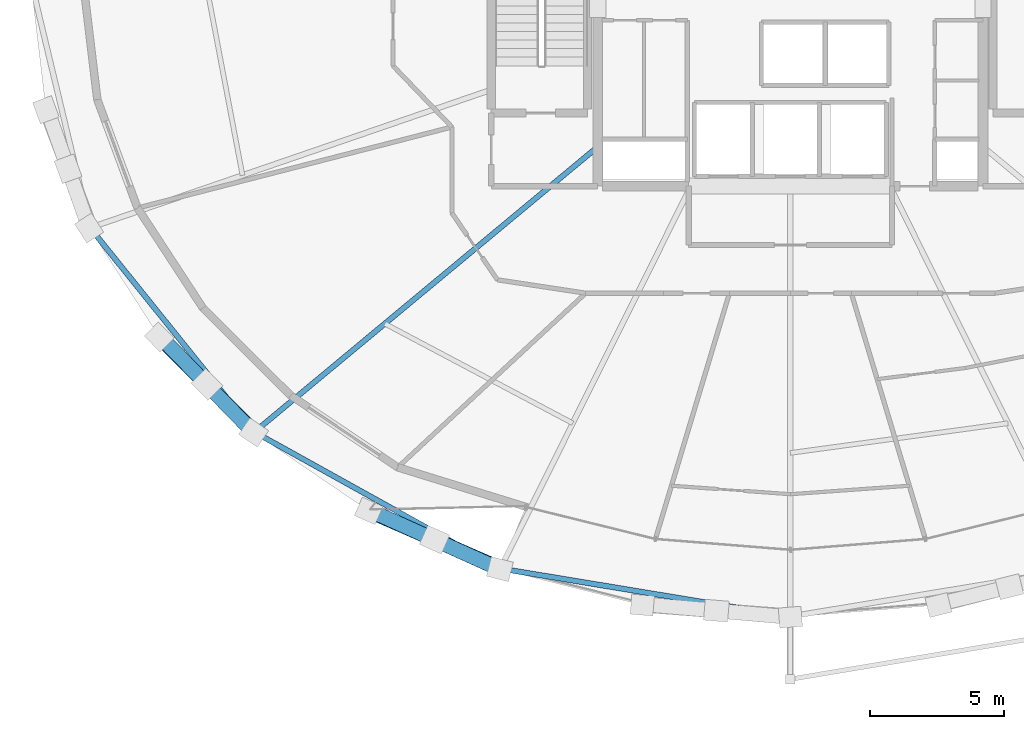
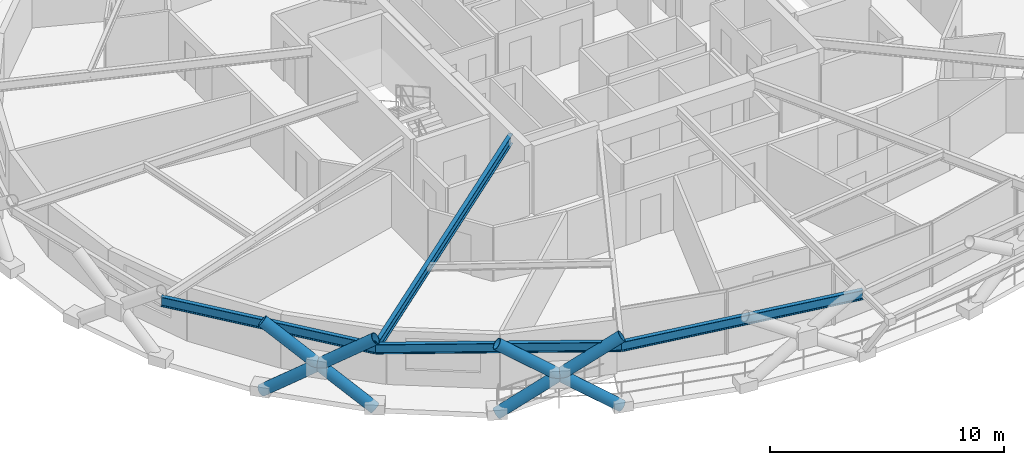
# One storey, part 1 of 22: 6 members, 4 beams.
"""IFC4 building model written with IfcOpenShell, lengths in metres."""

import ifcopenshell
import ifcopenshell.guid

model = None  # the IFC model being written
_history = None  # IfcOwnerHistory: only IFC2X3 demands one
_inside = {}  # id of a spatial element -> (the spatial element, [elements in it])
_under = {}  # id of a project, library or spatial element -> (it, [spatial elements below it])
_declared = {}  # id of a project -> (the project, [libraries it declares])
_typed = {}  # id of a type object -> (the type object, [elements of that type])
_made_of = {}  # id of a material, layer set ... -> (it, [elements and type objects made of it])


def new_model(schema):
    """Start an empty IFC model of exactly this schema.

    Asked for "IFC4X3", IfcOpenShell would pick the latest addendum, in which some entities
    have other attributes; the version numbers below select the first issue.
    IFC2X3 requires an IfcOwnerHistory on every rooted entity: one is made here for all.
    """
    global model, _history
    if schema == "IFC4X3":
        model = ifcopenshell.file(schema_version=(4, 3, 0, 0))
    else:
        model = ifcopenshell.file(schema=schema)
    _inside.clear()
    _under.clear()
    _declared.clear()
    _typed.clear()
    _made_of.clear()
    _history = None
    if model.schema == "IFC2X3":
        org = make("IfcOrganization", Name="unknown")
        user = make(
            "IfcPersonAndOrganization",
            ThePerson=make("IfcPerson", FamilyName="unknown"),
            TheOrganization=org,
        )
        app = make(
            "IfcApplication",
            ApplicationDeveloper=org,
            Version="unknown",
            ApplicationFullName="unknown",
            ApplicationIdentifier="unknown",
        )
        _history = make(
            "IfcOwnerHistory",
            OwningUser=user,
            OwningApplication=app,
            ChangeAction="ADDED",
            CreationDate=0,
        )
    return model


def make(cls, **values):
    """One entity of the class cls with the attributes given. An attribute that is None is left unset."""
    return model.create_entity(
        cls, **{name: value for name, value in values.items() if value is not None}
    )


def rooted(cls, **values):
    """An entity with a GlobalId (a new one), such as an element, a storey or a relation."""
    return make(cls, GlobalId=ifcopenshell.guid.new(), OwnerHistory=_history, **values)


def si_unit(unit_type, name, prefix=None):
    """IfcSIUnit, for example si_unit("LENGTHUNIT", "METRE", prefix="MILLI")."""
    return make("IfcSIUnit", UnitType=unit_type, Prefix=prefix, Name=name)


def assignment(units):
    """IfcUnitAssignment: the units of a project."""
    return None if units is None else make("IfcUnitAssignment", Units=units)


def point(xyz):
    """IfcCartesianPoint."""
    return None if xyz is None else make("IfcCartesianPoint", Coordinates=xyz)


def direction(xyz):
    """IfcDirection."""
    return None if xyz is None else make("IfcDirection", DirectionRatios=xyz)


def frame(location, z_axis=None, x_axis=None):
    """IfcAxis2Placement3D, a coordinate frame: its origin and axes. An axis left out is left unset."""
    return make(
        "IfcAxis2Placement3D",
        Location=point(location),
        Axis=direction(z_axis),
        RefDirection=direction(x_axis),
    )


def frame_2d(location, x_axis=None):
    """IfcAxis2Placement2D, a coordinate frame in the plane: its origin and x axis."""
    return make(
        "IfcAxis2Placement2D", Location=point(location), RefDirection=direction(x_axis)
    )


def origin():
    """The frame at (0, 0, 0) with its axes left unset."""
    return frame((0.0, 0.0, 0.0))


def origin_2d():
    """The frame at (0, 0) in the plane with its x axis left unset."""
    return frame_2d((0.0, 0.0))


def place(relative_to, where):
    """IfcLocalPlacement: puts the frame where relative to a parent placement (None: the world)."""
    return make(
        "IfcLocalPlacement", PlacementRelTo=relative_to, RelativePlacement=where
    )


def context(
    kind, dimensions, precision=None, world=None, true_north=None, identifier=None
):
    """IfcGeometricRepresentationContext, for example the 3D "Model" context."""
    return make(
        "IfcGeometricRepresentationContext",
        ContextIdentifier=identifier,
        ContextType=kind,
        CoordinateSpaceDimension=dimensions,
        Precision=precision,
        WorldCoordinateSystem=world,
        TrueNorth=true_north,
    )


def subcontext(parent, identifier, kind, view, scale=None):
    """IfcGeometricRepresentationSubContext, for example "Body" below "Model"."""
    return make(
        "IfcGeometricRepresentationSubContext",
        ContextIdentifier=identifier,
        ContextType=kind,
        ParentContext=parent,
        TargetScale=scale,
        TargetView=view,
    )


def project(units=None, contexts=None):
    """IfcProject with its units and contexts."""
    return rooted(
        "IfcProject",
        Name="project",
        RepresentationContexts=contexts,
        UnitsInContext=assignment(units),
    )


def spatial(cls, under=None, at=None, **own):
    """A site, building, storey or space (cls), placed at a placement, below another one or the project."""
    s = rooted(cls, ObjectPlacement=at, **own)
    if under is not None:
        _under.setdefault(under.id(), (under, []))[1].append(s)
    return s


def profile(cls, at=None, kind="AREA", **sizes):
    """A parametric profile (cls). Its sizes go by their IFC names, for example OverallWidth=200.0."""
    return make(cls, ProfileType=kind, Position=at, **sizes)


def hollow_circle(**sizes):
    """IfcCircleHollowProfileDef."""
    return profile("IfcCircleHollowProfileDef", **sizes)


def i_section(**sizes):
    """IfcIShapeProfileDef."""
    return profile("IfcIShapeProfileDef", **sizes)


def extrude(swept, where, along, depth):
    """IfcExtrudedAreaSolid: the profile swept, set in the frame where, extruded along a direction by depth."""
    return make(
        "IfcExtrudedAreaSolid",
        SweptArea=swept,
        Position=where,
        ExtrudedDirection=direction(along),
        Depth=depth,
    )


def shape(context_of_items, identifier, shape_type, items):
    """IfcShapeRepresentation: the items that make up one representation, for example the "Body"."""
    return make(
        "IfcShapeRepresentation",
        ContextOfItems=context_of_items,
        RepresentationIdentifier=identifier,
        RepresentationType=shape_type,
        Items=items,
    )


def material(Name=None, Category=None):
    """IfcMaterial."""
    return make("IfcMaterial", Name=Name, Category=Category)


def material_profile(
    of_material, cross_section, Name=None, Category=None, Priority=None
):
    """IfcMaterialProfile: a cross section and its material."""
    return make(
        "IfcMaterialProfile",
        Name=Name,
        Material=of_material,
        Profile=cross_section,
        Priority=Priority,
        Category=Category,
    )


def profile_set(profiles, Name=None, composite=None):
    """IfcMaterialProfileSet."""
    return make(
        "IfcMaterialProfileSet",
        Name=Name,
        MaterialProfiles=profiles,
        CompositeProfile=composite,
    )


def made_of(thing, what):
    """Note that an element or type object is made of a material, layer set ...; save() writes the relation."""
    if what is not None:
        _made_of.setdefault(what.id(), (what, []))[1].append(thing)
    return thing


def type_object(cls, material=None, **own):
    """A type object (cls), such as IfcWallType, which elements share."""
    return made_of(rooted(cls, **own), material)


def element(
    cls,
    number,
    at=None,
    inside=None,
    cuts=None,
    type_object=None,
    material=None,
    context=None,
    identifier="Body",
    shape_type=None,
    held_by="IfcProductDefinitionShape",
    body=None,
    shapes=None,
    **own,
):
    """One element of the class cls, such as IfcWall. Its Tag is "e" and its number.

    at: its placement. inside: the storey or other place that contains it. cuts: it is an
    opening in that element (IfcRelVoidsElement). A single representation is given by context,
    identifier, shape_type and body (its items); several are given by shapes. held_by: the class
    of the entity that holds the representations. save() writes the other relations.
    """
    e = rooted(cls, Tag="e%d" % number, ObjectPlacement=at, **own)
    if body is not None:
        shapes = [shape(context, identifier, shape_type, body)]
    if shapes is not None:
        e.Representation = make(held_by, Representations=shapes)
    if inside is not None:
        _inside.setdefault(inside.id(), (inside, []))[1].append(e)
    if cuts is not None:
        rooted(
            "IfcRelVoidsElement", RelatingBuildingElement=cuts, RelatedOpeningElement=e
        )
    if type_object is not None:
        _typed.setdefault(type_object.id(), (type_object, []))[1].append(e)
    return made_of(e, material)


def aggregate(whole, parts):
    """IfcRelAggregates: a whole, such as a stair, and the parts it consists of."""
    return rooted("IfcRelAggregates", RelatingObject=whole, RelatedObjects=parts)


def save(model, path):
    """Write the relations noted so far, then the file.

    IfcRelAggregates (storeys below a building ...), IfcRelContainedInSpatialStructure (elements
    in a storey), IfcRelDefinesByType, IfcRelAssociatesMaterial and IfcRelDeclares: one each for
    every whole, place, type object, material and project.
    """
    for whole, parts in _under.values():
        aggregate(whole, parts)
    for where, things in _inside.values():
        rooted(
            "IfcRelContainedInSpatialStructure",
            RelatedElements=things,
            RelatingStructure=where,
        )
    for kind, things in _typed.values():
        rooted("IfcRelDefinesByType", RelatedObjects=things, RelatingType=kind)
    for what, things in _made_of.values():
        rooted("IfcRelAssociatesMaterial", RelatedObjects=things, RelatingMaterial=what)
    for by, libraries in _declared.values():
        rooted("IfcRelDeclares", RelatingContext=by, RelatedDefinitions=libraries)
    model.write(path)


model = new_model("IFC4")

# Units and contexts
model_context = context("Model", 3, precision=1e-05, world=origin(), true_north=direction((0.0, 1.0)))
body_context = subcontext(model_context, "Body", "Model", "MODEL_VIEW")
ifc_project = project(units=[si_unit("LENGTHUNIT", "METRE"), si_unit("AREAUNIT", "SQUARE_METRE"), si_unit("VOLUMEUNIT", "CUBIC_METRE"), si_unit("PLANEANGLEUNIT", "RADIAN"), si_unit("MASSUNIT", "GRAM", prefix="KILO")], contexts=[model_context])

# Site, building, storey
site_placement = place(None, origin())
site = spatial("IfcSite", under=ifc_project, at=site_placement, CompositionType="ELEMENT")
building_placement = place(site_placement, origin())
building = spatial("IfcBuilding", under=site, at=building_placement, Name="Veldorina Hangang Commons", CompositionType="ELEMENT")
storey_placement = place(building_placement, frame((0.0, 0.0, 146.0)))
storey = spatial("IfcBuildingStorey", under=building, at=storey_placement, Name="L37", CompositionType="ELEMENT", Elevation=146.0)

# Beams
ifc_material = material(Name="Steel SM420-TMC", Category="steel")
ifc_material_profile_1 = material_profile(ifc_material, i_section(OverallWidth=0.199951171875, OverallDepth=0.5, WebThickness=0.010009765625, FlangeThickness=0.01611328125, FilletRadius=0.01611328125, at=origin_2d()), Name="H-500x200x10x16")
ifc_profile_set_1 = profile_set([ifc_material_profile_1], Name="Steel SM420-TMC")
beam_type_1 = type_object("IfcBeamType", Name="BM-FG500", PredefinedType="BEAM", material=ifc_profile_set_1)
beam_1_placement = place(storey_placement, frame((24.800048828125, 18.019775390625, 3.10009765625), z_axis=(-0.769255437361, -0.638941368274, 0.0), x_axis=(0.638941368274, -0.769255437361, 0.0)))
element("IfcBeam", 1, at=beam_1_placement, inside=storey, type_object=beam_type_1, Name="L37 radial floor girder 11", PredefinedType="BEAM", context=body_context, shape_type="SweptSolid", body=[
    extrude(i_section(OverallWidth=0.199951171875, OverallDepth=0.5, WebThickness=0.010009765625, FlangeThickness=0.01611328125, FilletRadius=0.01611328125, at=origin_2d()), origin(), (0.0, 0.0, 1.0), 16.683349609375),
])
ifc_material_profile_2 = material_profile(ifc_material, i_section(OverallWidth=0.199951171875, OverallDepth=0.5, WebThickness=0.010009765625, FlangeThickness=0.01611328125, FilletRadius=0.01611328125, at=origin_2d()), Name="H-500x200x10x16")
ifc_profile_set_2 = profile_set([ifc_material_profile_2], Name="Steel SM420-TMC")
beam_type_2 = type_object("IfcBeamType", Name="BM-RB500", PredefinedType="BEAM", material=ifc_profile_set_2)
beam_2_placement = place(storey_placement, frame((5.82470703125, 14.994384765625, 3.10009765625), z_axis=(0.626819817202, -0.779164242483, 0.0), x_axis=(0.779164242483, 0.626819817202, 0.0)))
element("IfcBeam", 2, at=beam_2_placement, inside=storey, type_object=beam_type_2, Name="L37 perimeter hoop ring beam 18", PredefinedType="BEAM", context=body_context, shape_type="SweptSolid", body=[
    extrude(i_section(OverallWidth=0.199951171875, OverallDepth=0.5, WebThickness=0.010009765625, FlangeThickness=0.01611328125, FilletRadius=0.01611328125, at=origin_2d()), origin(), (0.0, 0.0, 1.0), 9.798095703125),
])
beam_3_placement = place(storey_placement, frame((11.96630859375, 7.360107421875, 3.10009765625), z_axis=(0.87436972184, -0.485260331708, 0.0), x_axis=(0.485260331708, 0.87436972184, 0.0)))
element("IfcBeam", 3, at=beam_3_placement, inside=storey, type_object=beam_type_2, Name="L37 perimeter hoop ring beam 20", PredefinedType="BEAM", context=body_context, shape_type="SweptSolid", body=[
    extrude(i_section(OverallWidth=0.199951171875, OverallDepth=0.5, WebThickness=0.010009765625, FlangeThickness=0.01611328125, FilletRadius=0.01611328125, at=origin_2d()), origin(), (0.0, 0.0, 1.0), 10.511962890625),
])
beam_4_placement = place(storey_placement, frame((21.15771484375, 2.259033203125, 3.10009765625), z_axis=(0.986625904332, -0.163000996624, 0.0), x_axis=(0.163000996624, 0.986625904332, 0.0)))
element("IfcBeam", 4, at=beam_4_placement, inside=storey, type_object=beam_type_2, Name="L37 perimeter hoop ring beam 22", PredefinedType="BEAM", context=body_context, shape_type="SweptSolid", body=[
    extrude(i_section(OverallWidth=0.199951171875, OverallDepth=0.5, WebThickness=0.010009765625, FlangeThickness=0.01611328125, FilletRadius=0.01611328125, at=origin_2d()), origin(), (0.0, 0.0, 1.0), 10.9892578125),
])

# Members
ifc_material_profile_3 = material_profile(ifc_material, hollow_circle(Radius=0.27490234375, WallThickness=0.028076171875, at=origin_2d()), Name="CHS-550x28")
ifc_profile_set_3 = profile_set([ifc_material_profile_3], Name="Steel SM420-TMC")
member_type = type_object("IfcMemberType", Name="DG-CHS550", PredefinedType="BRACE", material=ifc_profile_set_3)
member_1_placement = place(storey_placement, frame((8.410888671875, 10.9111328125, 0.0), z_axis=(0.575811982337, -0.57387694447, 0.582327926174), x_axis=(0.705915652093, 0.708295907182, 0.0)))
element("IfcMember", 5, at=member_1_placement, inside=storey, type_object=member_type, Name="L37 continuous perimeter diagrid brace 19", PredefinedType="BRACE", context=body_context, shape_type="SweptSolid", body=[
    extrude(hollow_circle(Radius=0.27490234375, WallThickness=0.028076171875, at=origin_2d()), origin(), (0.0, 0.0, 1.0), 6.182373046875),
])
member_2_placement = place(storey_placement, frame((11.93896484375, 7.341064453125, 0.0), z_axis=(-0.566271238498, 0.581781182985, 0.5838386246), x_axis=(-0.716594252296, -0.697490270597, 0.0)))
element("IfcMember", 6, at=member_2_placement, inside=storey, type_object=member_type, Name="L37 split perimeter diagrid lower brace 20", PredefinedType="BRACE", context=body_context, shape_type="SweptSolid", body=[
    extrude(hollow_circle(Radius=0.27490234375, WallThickness=0.028076171875, at=origin_2d()), origin(), (0.0, 0.0, 1.0), 3.085205078125),
])
member_3_placement = place(storey_placement, frame((10.19189453125, 9.135986328125, 1.80126953125), z_axis=(-0.566094430147, 0.581865505549, 0.583926048064), x_axis=(-0.716753623988, -0.697326496342, 0.0)))
element("IfcMember", 7, at=member_3_placement, inside=storey, type_object=member_type, Name="L37 split perimeter diagrid upper brace 20", PredefinedType="BRACE", context=body_context, shape_type="SweptSolid", body=[
    extrude(hollow_circle(Radius=0.27490234375, WallThickness=0.028076171875, at=origin_2d()), origin(), (0.0, 0.0, 1.0), 3.08056640625),
])
member_4_placement = place(storey_placement, frame((16.23828125, 4.4111328125, 0.0), z_axis=(0.761273873563, -0.332264326065, 0.556832566446), x_axis=(0.400017362617, 0.916507561128, 0.0)))
element("IfcMember", 8, at=member_4_placement, inside=storey, type_object=member_type, Name="L37 continuous perimeter diagrid brace 21", PredefinedType="BRACE", context=body_context, shape_type="SweptSolid", body=[
    extrude(hollow_circle(Radius=0.27490234375, WallThickness=0.028076171875, at=origin_2d()), origin(), (0.0, 0.0, 1.0), 6.46533203125),
])
member_5_placement = place(storey_placement, frame((21.14306640625, 2.23388671875, 0.0), z_axis=(-0.756350586302, 0.341424004914, 0.557999497732), x_axis=(-0.411432897508, -0.911440053349, 0.0)))
element("IfcMember", 9, at=member_5_placement, inside=storey, type_object=member_type, Name="L37 split perimeter diagrid lower brace 22", PredefinedType="BRACE", context=body_context, shape_type="SweptSolid", body=[
    extrude(hollow_circle(Radius=0.27490234375, WallThickness=0.028076171875, at=origin_2d()), origin(), (0.0, 0.0, 1.0), 3.228515625),
])
member_6_placement = place(storey_placement, frame((18.701171875, 3.336181640625, 1.801513671875), z_axis=(-0.756345783216, 0.341555970993, 0.557925241309), x_axis=(-0.411567161717, -0.911379433275, 0.0)))
element("IfcMember", 10, at=member_6_placement, inside=storey, type_object=member_type, Name="L37 split perimeter diagrid upper brace 22", PredefinedType="BRACE", context=body_context, shape_type="SweptSolid", body=[
    extrude(hollow_circle(Radius=0.27490234375, WallThickness=0.028076171875, at=origin_2d()), origin(), (0.0, 0.0, 1.0), 3.2236328125),
])

save(model, "model.ifc")
